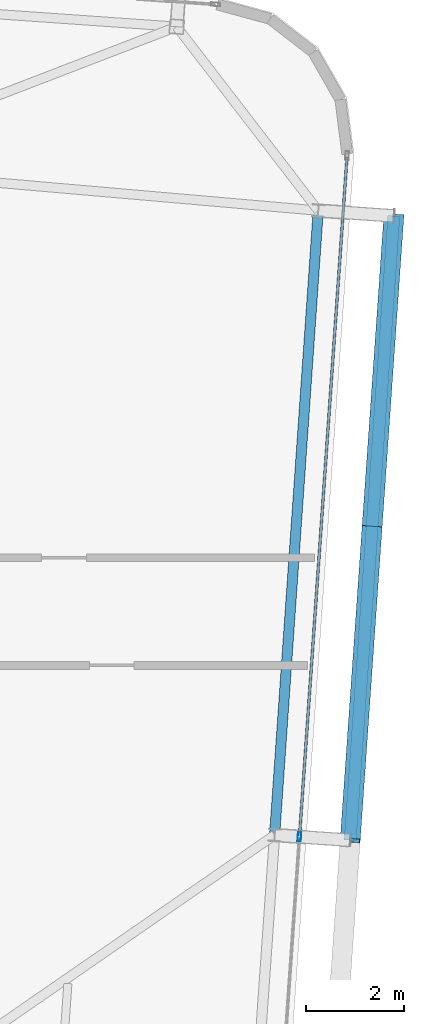
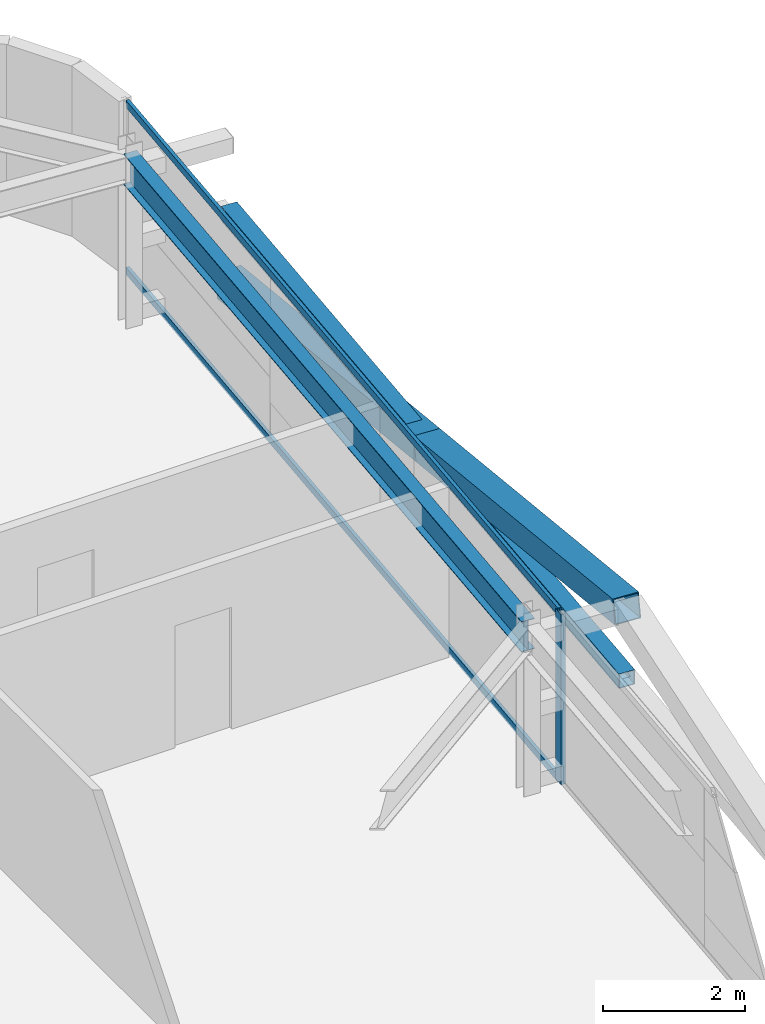
# One storey, part 17 of 39: 6 members, 1 beam, 1 element without a shape of its own.
"""IFC4 building model written with IfcOpenShell, lengths in metres."""

from ifc_helpers import new_model, si_unit, direction, frame, origin, origin_2d, place, context, subcontext, project, spatial, hollow_rectangle, i_section, extrude, source, transform, mapped, material, layer, layer_set, material_profile, profile_set, type_object, element, aggregate, save


model = new_model("IFC4")

# Units and contexts
model_context = context("Model", 3, precision=1e-05, world=origin(), true_north=direction((0.0, 1.0)))
body_context = subcontext(model_context, "Body", "Model", "MODEL_VIEW")
ifc_project = project(units=[si_unit("LENGTHUNIT", "METRE"), si_unit("AREAUNIT", "SQUARE_METRE"), si_unit("VOLUMEUNIT", "CUBIC_METRE"), si_unit("PLANEANGLEUNIT", "RADIAN"), si_unit("MASSUNIT", "GRAM", prefix="KILO")], contexts=[model_context])

# Site, building, storey
site_placement = place(None, origin())
site = spatial("IfcSite", under=ifc_project, at=site_placement, CompositionType="ELEMENT")
building_placement = place(site_placement, origin())
building = spatial("IfcBuilding", under=site, at=building_placement, Name="Taldren Reach Tower", CompositionType="ELEMENT")
storey_placement = place(building_placement, frame((0.0, 0.0, 145.60009765625)))
storey = spatial("IfcBuildingStorey", under=building, at=storey_placement, Name="L44", CompositionType="ELEMENT", Elevation=145.60009765625)

# Beam
ifc_material_1 = material(Name="Steel Gr 350 (350PLUS)", Category="steel")
ifc_material_profile_1 = material_profile(ifc_material_1, i_section(OverallWidth=0.208984375, OverallDepth=0.528076171875, WebThickness=0.009521484375, FlangeThickness=0.01318359375, at=origin_2d()), Name="530UB82.0")
ifc_profile_set_1 = profile_set([ifc_material_profile_1], Name="Steel Gr 350 (350PLUS)")
beam_type = type_object("IfcBeamType", Name="SP-UB530B", PredefinedType="SPANDREL", material=ifc_profile_set_1)
shared_shape_1 = source(origin(), body_context, "Body", "SweptSolid", [
    extrude(i_section(OverallWidth=0.208984375, OverallDepth=0.528076171875, WebThickness=0.009521484375, FlangeThickness=0.01318359375, at=origin_2d()), origin(), (0.0, 0.0, 1.0), 12.800048828125),
])
beam_placement = place(storey_placement, frame((60.438232421875, 18.331787109375, 2.666015625), z_axis=(0.069751876777, 0.9975643717, 0.0), x_axis=(-0.9975643717, 0.069751876777, 0.0)))
element("IfcBeam", 1, at=beam_placement, inside=storey, type_object=beam_type, Name="Perimeter spandrel B3 E2-E3 L44", PredefinedType="SPANDREL", context=body_context, shape_type="MappedRepresentation", body=[
    mapped(shared_shape_1, transform((0.0, 0.0, 0.0), scale=1.0)),
])

# Members
ifc_material_2 = material(Name="Steel Gr 350 (C350L0)", Category="steel")
ifc_material_profile_2 = material_profile(ifc_material_2, hollow_rectangle(XDim=0.25, YDim=0.25, WallThickness=0.010009765625, at=origin_2d()), Name="250x250x10.0SHS")
ifc_profile_set_2 = profile_set([ifc_material_profile_2], Name="Steel Gr 350 (C350L0)")
member_type_1 = type_object("IfcMemberType", Name="MB-POST250", PredefinedType="POST", material=ifc_profile_set_2)
shared_shape_2 = source(origin(), body_context, "Body", "SweptSolid", [
    extrude(hollow_rectangle(XDim=0.25, YDim=0.25, WallThickness=0.010009765625, at=origin_2d()), origin(), (0.0, 0.0, 1.0), 12.800048828125),
])
member_1_placement = place(storey_placement, frame((61.984375, 18.2236328125, 1.434814453125), z_axis=(0.069770857464, 0.997563044348, 0.0), x_axis=(-0.997563044348, 0.069770857464, 0.0)))
element("IfcMember", 2, at=member_1_placement, inside=storey, type_object=member_type_1, Name="Exoskeleton mid-height ring chord B3-E2 L44", PredefinedType="POST", context=body_context, shape_type="MappedRepresentation", body=[
    mapped(shared_shape_2, transform((0.0, 0.0, 0.0), scale=1.0)),
])
ifc_material_3 = material(Name="Steel Gr 450 (C450L0)", Category="steel")
ifc_material_profile_3 = material_profile(ifc_material_3, hollow_rectangle(XDim=0.409912109375, YDim=0.409912109375, WallThickness=0.01611328125, at=origin_2d()), Name="410x410x16.0SHS")
ifc_profile_set_3 = profile_set([ifc_material_profile_3], Name="Steel Gr 450 (C450L0)")
member_type_2 = type_object("IfcMemberType", Name="MB-EXO406", PredefinedType="BRACE", material=ifc_profile_set_3)
shared_shape_3 = source(origin(), body_context, "Body", "SweptSolid", [
    extrude(hollow_rectangle(XDim=0.409912109375, YDim=0.409912109375, WallThickness=0.01611328125, at=origin_2d()), origin(), (0.0, 0.0, 1.0), 6.514404296875),
])
member_2_placement = place(storey_placement, frame((62.87744140625, 30.992431640625, 0.219970703125), z_axis=(-0.068545605936, -0.980063499638, 0.186486022492), x_axis=(0.997563137195, -0.069769529958, 0.0)))
element("IfcMember", 3, at=member_2_placement, inside=storey, type_object=member_type_2, Name="Exoskeleton Diagrid Brace B3-E2 L44", PredefinedType="BRACE", context=body_context, shape_type="MappedRepresentation", body=[
    mapped(shared_shape_3, transform((0.0, 0.0, 0.0), scale=1.0)),
])
shared_shape_4 = source(origin(), body_context, "Body", "SweptSolid", [
    extrude(hollow_rectangle(XDim=0.409912109375, YDim=0.409912109375, WallThickness=0.01611328125, at=origin_2d()), origin(), (0.0, 0.0, 1.0), 6.51416015625),
])
member_3_placement = place(storey_placement, frame((62.430908203125, 24.60791015625, 1.434814453125), z_axis=(-0.068547644544, -0.980055169399, 0.186529046964), x_axis=(0.997562951496, -0.069772185021, 0.0)))
element("IfcMember", 4, at=member_3_placement, inside=storey, type_object=member_type_2, Name="Exoskeleton Diagrid Brace B3-E2 L44", PredefinedType="BRACE", context=body_context, shape_type="MappedRepresentation", body=[
    mapped(shared_shape_4, transform((0.0, 0.0, 0.0), scale=1.0)),
])

# Curtain wall, members
ifc_material_4 = material(Name="Aluminium and Low-E Glass Unitised System", Category="aluminium")
ifc_layer = layer(ifc_material_4, 0.159912109375)
ifc_layer_set = layer_set([ifc_layer], Name="Aluminium and Low-E Glass Unitised System")
curtain_wall_type = type_object("IfcCurtainWallType", Name="CW-SYS-4", PredefinedType="NOTDEFINED", material=ifc_layer_set)
curtain_wall_placement = place(storey_placement, origin())
curtain_wall = element("IfcCurtainWall", 5, at=curtain_wall_placement, inside=storey, type_object=curtain_wall_type, Name="Unitised curtain wall CW-L44-E", PredefinedType="NOTDEFINED")
ifc_material_5 = material(Name="Anodised Aluminium 6063-T6", Category="aluminium")
ifc_material_profile_4 = material_profile(ifc_material_5, hollow_rectangle(XDim=0.054931640625, YDim=0.1201171875, WallThickness=0.0029296875, at=origin_2d()), Name="ALU-120x55x3RHS")
ifc_profile_set_4 = profile_set([ifc_material_profile_4], Name="Anodised Aluminium 6063-T6")
member_type_3 = type_object("IfcMemberType", Name="CW-TRN-135", PredefinedType="USERDEFINED", material=ifc_profile_set_4)
shared_shape_5 = source(origin(), body_context, "Body", "SweptSolid", [
    extrude(hollow_rectangle(XDim=0.054931640625, YDim=0.1201171875, WallThickness=0.0029296875, at=origin_2d()), origin(), (0.0, 0.0, 1.0), 13.89501953125),
])
member_4_placement = place(storey_placement, frame((60.949462890625, 18.3310546875, 0.02734375), z_axis=(0.069754817075, 0.997564166104, 0.0), x_axis=(-0.997564166104, 0.069754817075, 0.0)))
member_4 = element("IfcMember", 6, at=member_4_placement, type_object=member_type_3, Name="CW-4 transom 2.1", ObjectType="TRANSOM", PredefinedType="USERDEFINED", context=body_context, shape_type="MappedRepresentation", body=[
    mapped(shared_shape_5, transform((0.0, 0.0, 0.0), scale=1.0)),
])
member_5_placement = place(storey_placement, frame((60.949462890625, 18.3310546875, 2.90234375), z_axis=(0.069754817075, 0.997564166104, 0.0), x_axis=(-0.997564166104, 0.069754817075, 0.0)))
member_5 = element("IfcMember", 7, at=member_5_placement, type_object=member_type_3, Name="CW-4 transom 2.2", ObjectType="TRANSOM", PredefinedType="USERDEFINED", context=body_context, shape_type="MappedRepresentation", body=[
    mapped(shared_shape_5, transform((0.0, 0.0, 0.0), scale=1.0)),
])
ifc_material_profile_5 = material_profile(ifc_material_5, hollow_rectangle(XDim=0.070068359375, YDim=0.179931640625, WallThickness=0.00390625, at=origin_2d()), Name="ALU-180x70x4RHS")
ifc_profile_set_5 = profile_set([ifc_material_profile_5], Name="Anodised Aluminium 6063-T6")
member_type_4 = type_object("IfcMemberType", Name="CW-MUL-180", PredefinedType="MULLION", material=ifc_profile_set_5)
shared_shape_6 = source(origin(), body_context, "Body", "SweptSolid", [
    extrude(hollow_rectangle(XDim=0.070068359375, YDim=0.179931640625, WallThickness=0.00390625, at=origin_2d()), origin(), (0.0, 0.0, 1.0), 2.929931640625),
])
member_6_placement = place(storey_placement, frame((60.947021484375, 18.296142578125, 0.0), z_axis=(0.0, 0.0, 1.0), x_axis=(-0.997564052812, 0.069756437251, 0.0)))
member_6 = element("IfcMember", 8, at=member_6_placement, type_object=member_type_4, Name="CW-4 mullion 2", PredefinedType="MULLION", context=body_context, shape_type="MappedRepresentation", body=[
    mapped(shared_shape_6, transform((0.0, 0.0, 0.0), scale=1.0)),
])
aggregate(curtain_wall, [member_6, member_4, member_5])

save(model, "model.ifc")
